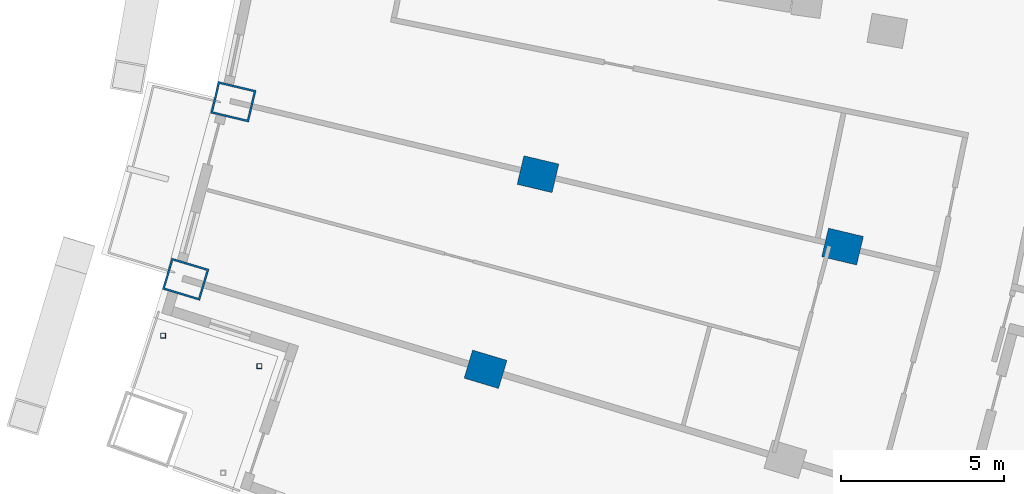
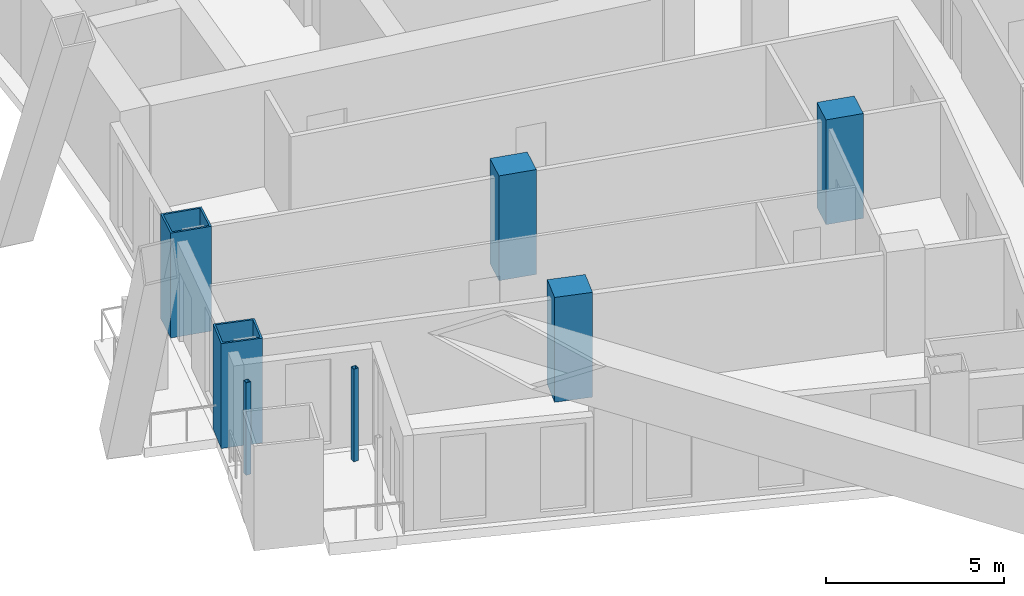
# One storey, part 3 of 25: 7 columns.
"""IFC4 building model written with IfcOpenShell, lengths in metres."""

from ifc_helpers import new_model, si_unit, direction, frame, origin, origin_2d, place, context, subcontext, project, spatial, rectangle, hollow_rectangle, extrude, material, material_profile, profile_set, type_object, element, save


model = new_model("IFC4")

# Units and contexts
model_context = context("Model", 3, precision=1e-05, world=origin(), true_north=direction((0.0, 1.0)))
body_context = subcontext(model_context, "Body", "Model", "MODEL_VIEW")
ifc_project = project(units=[si_unit("LENGTHUNIT", "METRE"), si_unit("AREAUNIT", "SQUARE_METRE"), si_unit("VOLUMEUNIT", "CUBIC_METRE"), si_unit("PLANEANGLEUNIT", "RADIAN"), si_unit("MASSUNIT", "GRAM", prefix="KILO")], contexts=[model_context])

# Site, building, storey
site_placement = place(None, origin())
site = spatial("IfcSite", under=ifc_project, at=site_placement, CompositionType="ELEMENT")
building_placement = place(site_placement, origin())
building = spatial("IfcBuilding", under=site, at=building_placement, Name="Alderwake Tower", CompositionType="ELEMENT")
storey_placement = place(building_placement, frame((0.0, 0.0, 64.39990234375)))
storey = spatial("IfcBuildingStorey", under=building, at=storey_placement, Name="L15", CompositionType="ELEMENT", Elevation=64.39990234375)

# Columns
ifc_material_1 = material(Name="Concrete C70/85", Category="concrete")
ifc_material_profile_1 = material_profile(ifc_material_1, rectangle(XDim=0.89990234375, YDim=1.10009765625, at=origin_2d()), Name="RC 1100X900")
ifc_profile_set_1 = profile_set([ifc_material_profile_1], Name="Concrete C70/85")
column_type_1 = type_object("IfcColumnType", Name="Interior column Z1", PredefinedType="COLUMN", material=ifc_profile_set_1)
for number, where, z_axis, x_axis, name in (
    (1, (21.714599609375, 30.46240234375, 0.0), (0.0, 0.0, 1.0), (0.287549418125, 0.957765802342, 0.0), "Column R02-C1"),
    (2, (23.322021484375, 36.444091796875, 0.0), (0.0, 0.0, 1.0), (0.231221547198, 0.972901123502, 0.0), "Column R03-C1"),
    (3, (32.661865234375, 34.224609375, 0.0), (0.0, 0.0, 1.0), (0.231221547198, 0.972901123502, 0.0), "Column R03-C2"),
):
    element("IfcColumn", number, at=place(storey_placement, frame(where, z_axis=z_axis, x_axis=x_axis)), inside=storey, type_object=column_type_1, Name=name, PredefinedType="COLUMN", context=body_context, shape_type="SweptSolid", body=[
        extrude(rectangle(XDim=0.89990234375, YDim=1.10009765625, at=origin_2d()), origin(), (0.0, 0.0, 1.0), 3.60009765625),
    ])
ifc_material_2 = material(Name="Steel ASTM A500 Grade C", Category="steel")
ifc_material_profile_2 = material_profile(ifc_material_2, hollow_rectangle(XDim=0.15234375, YDim=0.15234375, WallThickness=0.0087890625, at=origin_2d()), Name="HSS6X6X3/8")
ifc_profile_set_2 = profile_set([ifc_material_profile_2], Name="Steel ASTM A500 Grade C")
column_type_2 = type_object("IfcColumnType", Name="Light post HSS6X6X3/8", PredefinedType="COLUMN", material=ifc_profile_set_2)
for number, where, z_axis, x_axis, name in (
    (4, (11.82568359375, 31.492919921875, 0.0), (0.0, 0.0, 1.0), (1.0, 0.0, 0.0), "Terrace post RS1"),
    (5, (14.781494140625, 30.558349609375, 0.0), (0.0, 0.0, 1.0), (1.0, 0.0, 0.0), "Terrace post RS3"),
):
    element("IfcColumn", number, at=place(storey_placement, frame(where, z_axis=z_axis, x_axis=x_axis)), inside=storey, type_object=column_type_2, Name=name, PredefinedType="COLUMN", context=body_context, shape_type="SweptSolid", body=[
        extrude(hollow_rectangle(XDim=0.15234375, YDim=0.15234375, WallThickness=0.0087890625, at=origin_2d()), origin(), (0.0, 0.0, 1.0), 3.18017578125),
    ])
ifc_material_3 = material(Name="Steel ASTM A572 Grade 50 concrete filled C70/85", Category="concrete")
ifc_material_profile_3 = material_profile(ifc_material_3, hollow_rectangle(XDim=1.0, YDim=1.199951171875, WallThickness=0.06005859375, at=origin_2d()), Name="BOX 1200X1000X60")
ifc_profile_set_3 = profile_set([ifc_material_profile_3], Name="Steel ASTM A572 Grade 50 concrete filled C70/85")
column_type_3 = type_object("IfcColumnType", Name="Perimeter column Z1", PredefinedType="COLUMN", material=ifc_profile_set_3)
for number, where, z_axis, x_axis, name in (
    (6, (12.520263671875, 33.222900390625, 0.0), (0.0, 0.0, 1.0), (0.287549418125, 0.957765802342, 0.0), "Column R02-C0"),
    (7, (13.982177734375, 38.6640625, 0.0), (0.0, 0.0, 1.0), (0.231221547198, 0.972901123502, 0.0), "Column R03-C0"),
):
    element("IfcColumn", number, at=place(storey_placement, frame(where, z_axis=z_axis, x_axis=x_axis)), inside=storey, type_object=column_type_3, Name=name, PredefinedType="COLUMN", context=body_context, shape_type="SweptSolid", body=[
        extrude(hollow_rectangle(XDim=1.0, YDim=1.199951171875, WallThickness=0.06005859375, at=origin_2d()), origin(), (0.0, 0.0, 1.0), 3.60009765625),
    ])

save(model, "model.ifc")
